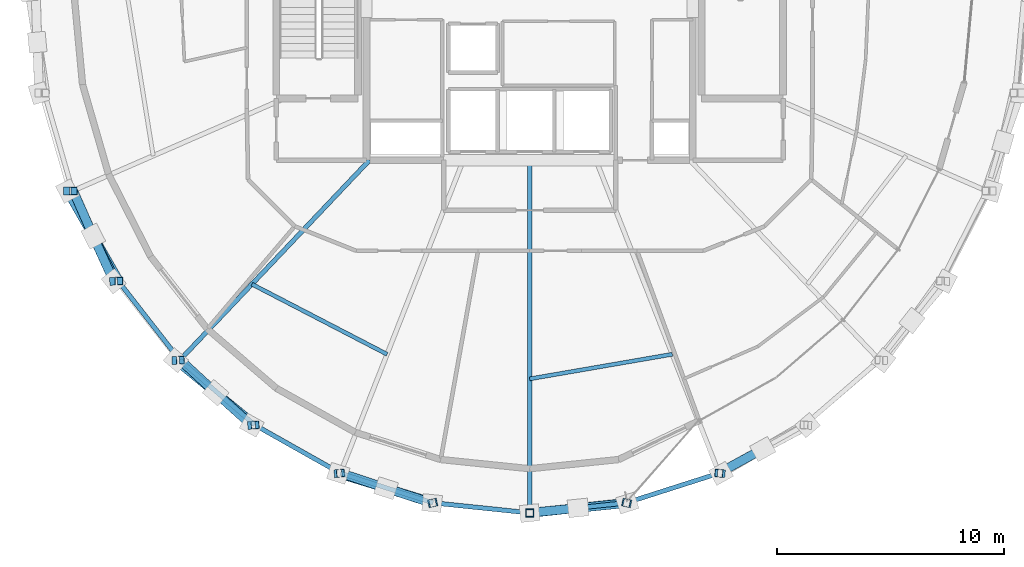
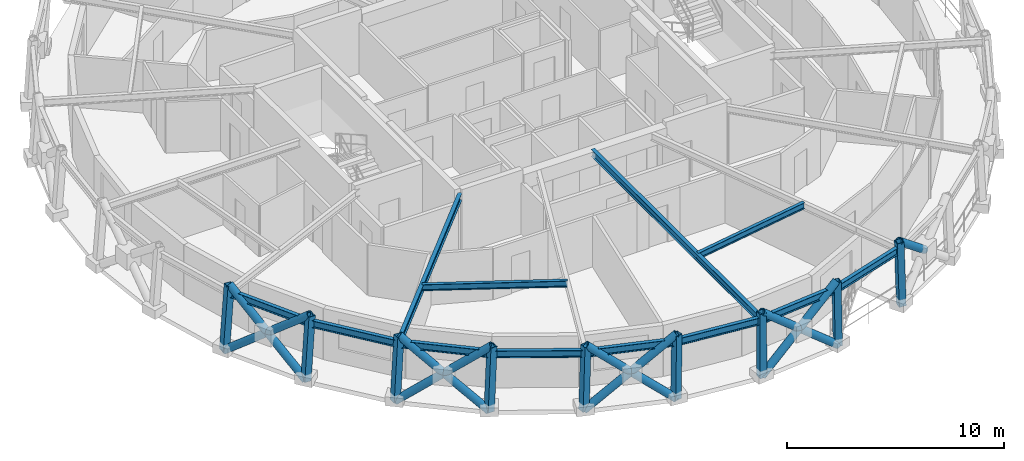
# One storey, part 1 of 15: 22 members, 12 beams.
"""IFC4 building model written with IfcOpenShell, lengths in metres."""

from ifc_helpers import new_model, si_unit, direction, frame, origin, origin_2d, place, context, subcontext, project, spatial, hollow_rectangle, hollow_circle, i_section, extrude, material, material_profile, profile_set, type_object, element, save


model = new_model("IFC4")

# Units and contexts
model_context = context("Model", 3, precision=1e-05, world=origin(), true_north=direction((0.0, 1.0)))
body_context = subcontext(model_context, "Body", "Model", "MODEL_VIEW")
ifc_project = project(units=[si_unit("LENGTHUNIT", "METRE"), si_unit("AREAUNIT", "SQUARE_METRE"), si_unit("VOLUMEUNIT", "CUBIC_METRE"), si_unit("PLANEANGLEUNIT", "RADIAN"), si_unit("MASSUNIT", "GRAM", prefix="KILO")], contexts=[model_context])

# Site, building, storey
site_placement = place(None, origin())
site = spatial("IfcSite", under=ifc_project, at=site_placement, CompositionType="ELEMENT")
building_placement = place(site_placement, origin())
building = spatial("IfcBuilding", under=site, at=building_placement, Name="Veldorina Hangang Commons", CompositionType="ELEMENT")
storey_placement = place(building_placement, frame((0.0, 0.0, 261.60009765625)))
storey = spatial("IfcBuildingStorey", under=building, at=storey_placement, Name="L68", CompositionType="ELEMENT", Elevation=261.60009765625)

# Beams
ifc_material = material(Name="Steel SM355-TMC", Category="steel")
ifc_material_profile_1 = material_profile(ifc_material, i_section(OverallWidth=0.199951171875, OverallDepth=0.39990234375, WebThickness=0.008056640625, FlangeThickness=0.012939453125, FilletRadius=0.012939453125, at=origin_2d()), Name="H-400x200x8x13")
ifc_profile_set_1 = profile_set([ifc_material_profile_1], Name="Steel SM355-TMC")
beam_type_1 = type_object("IfcBeamType", Name="BM-FG400", PredefinedType="BEAM", material=ifc_profile_set_1)
beam_1_placement = place(storey_placement, frame((24.931884765625, 16.550048828125, 3.159912109375), z_axis=(-0.688248509475, -0.72547500936, 0.0), x_axis=(0.72547500936, -0.688248509475, 0.0)))
element("IfcBeam", 1, at=beam_1_placement, inside=storey, type_object=beam_type_1, Name="L68 radial floor girder 11", PredefinedType="BEAM", context=body_context, shape_type="SweptSolid", body=[
    extrude(i_section(OverallWidth=0.199951171875, OverallDepth=0.39990234375, WebThickness=0.008056640625, FlangeThickness=0.012939453125, FilletRadius=0.012939453125, at=origin_2d()), origin(), (0.0, 0.0, 1.0), 12.158935546875),
])
beam_2_placement = place(storey_placement, frame((32.0, 16.550048828125, 3.159912109375), z_axis=(0.0, -1.0, 0.0), x_axis=(1.0, 0.0, 0.0)))
element("IfcBeam", 2, at=beam_2_placement, inside=storey, type_object=beam_type_1, Name="L68 radial floor girder 13", PredefinedType="BEAM", context=body_context, shape_type="SweptSolid", body=[
    extrude(i_section(OverallWidth=0.199951171875, OverallDepth=0.39990234375, WebThickness=0.008056640625, FlangeThickness=0.012939453125, FilletRadius=0.012939453125, at=origin_2d()), origin(), (0.0, 0.0, 1.0), 15.560546875),
])
ifc_material_profile_2 = material_profile(ifc_material, i_section(OverallWidth=0.175048828125, OverallDepth=0.35009765625, WebThickness=0.007080078125, FlangeThickness=0.010986328125, FilletRadius=0.012939453125, at=origin_2d()), Name="H-350x175x7x11")
ifc_profile_set_2 = profile_set([ifc_material_profile_2], Name="Steel SM355-TMC")
beam_type_2 = type_object("IfcBeamType", Name="BM-JST350", PredefinedType="JOIST", material=ifc_profile_set_2)
beam_3_placement = place(storey_placement, frame((19.743408203125, 11.0810546875, 3.184814453125), z_axis=(0.88775343151, -0.460319285759, 0.0), x_axis=(0.460319285759, 0.88775343151, 0.0)))
element("IfcBeam", 3, at=beam_3_placement, inside=storey, type_object=beam_type_2, Name="L68 secondary floor joist 11", PredefinedType="JOIST", context=body_context, shape_type="SweptSolid", body=[
    extrude(i_section(OverallWidth=0.175048828125, OverallDepth=0.35009765625, WebThickness=0.007080078125, FlangeThickness=0.010986328125, FilletRadius=0.012939453125, at=origin_2d()), origin(), (0.0, 0.0, 1.0), 6.71875),
])
beam_4_placement = place(storey_placement, frame((32.0, 6.90234375, 3.184814453125), z_axis=(0.985430960272, 0.170075931681, 0.0), x_axis=(-0.170075931681, 0.985430960272, 0.0)))
element("IfcBeam", 4, at=beam_4_placement, inside=storey, type_object=beam_type_2, Name="L68 secondary floor joist 13", PredefinedType="JOIST", context=body_context, shape_type="SweptSolid", body=[
    extrude(i_section(OverallWidth=0.175048828125, OverallDepth=0.35009765625, WebThickness=0.007080078125, FlangeThickness=0.010986328125, FilletRadius=0.012939453125, at=origin_2d()), origin(), (0.0, 0.0, 1.0), 6.385009765625),
])
ifc_material_profile_3 = material_profile(ifc_material, i_section(OverallWidth=0.199951171875, OverallDepth=0.39990234375, WebThickness=0.008056640625, FlangeThickness=0.012939453125, FilletRadius=0.012939453125, at=origin_2d()), Name="H-400x200x8x13")
ifc_profile_set_3 = profile_set([ifc_material_profile_3], Name="Steel SM355-TMC")
beam_type_3 = type_object("IfcBeamType", Name="BM-RB400", PredefinedType="BEAM", material=ifc_profile_set_3)
beam_5_placement = place(storey_placement, frame((11.831298828125, 15.194091796875, 3.159912109375), z_axis=(0.452285910788, -0.891873003797, 0.0), x_axis=(0.891873003797, 0.452285910788, 0.0)))
element("IfcBeam", 5, at=beam_5_placement, inside=storey, type_object=beam_type_3, Name="L68 perimeter hoop ring beam 18", PredefinedType="BEAM", context=body_context, shape_type="SweptSolid", body=[
    extrude(i_section(OverallWidth=0.199951171875, OverallDepth=0.39990234375, WebThickness=0.008056640625, FlangeThickness=0.012939453125, FilletRadius=0.012939453125, at=origin_2d()), origin(), (0.0, 0.0, 1.0), 4.460205078125),
])
beam_6_placement = place(storey_placement, frame((13.8486328125, 11.216064453125, 3.159912109375), z_axis=(0.614319180396, -0.78905763072, 0.0), x_axis=(0.78905763072, 0.614319180396, 0.0)))
element("IfcBeam", 6, at=beam_6_placement, inside=storey, type_object=beam_type_3, Name="L68 perimeter hoop ring beam 19", PredefinedType="BEAM", context=body_context, shape_type="SweptSolid", body=[
    extrude(i_section(OverallWidth=0.199951171875, OverallDepth=0.39990234375, WebThickness=0.008056640625, FlangeThickness=0.012939453125, FilletRadius=0.012939453125, at=origin_2d()), origin(), (0.0, 0.0, 1.0), 4.419189453125),
])
beam_7_placement = place(storey_placement, frame((16.5634765625, 7.72900390625, 3.159912109375), z_axis=(0.756305697563, -0.654218382372, 0.0), x_axis=(0.654218382372, 0.756305697563, 0.0)))
element("IfcBeam", 7, at=beam_7_placement, inside=storey, type_object=beam_type_3, Name="L68 perimeter hoop ring beam 20", PredefinedType="BEAM", context=body_context, shape_type="SweptSolid", body=[
    extrude(i_section(OverallWidth=0.199951171875, OverallDepth=0.39990234375, WebThickness=0.008056640625, FlangeThickness=0.012939453125, FilletRadius=0.012939453125, at=origin_2d()), origin(), (0.0, 0.0, 1.0), 4.3740234375),
])
beam_8_placement = place(storey_placement, frame((19.87158203125, 4.867431640625, 3.159912109375), z_axis=(0.871244233372, -0.490849758905, 0.0), x_axis=(0.490849758905, 0.871244233372, 0.0)))
element("IfcBeam", 8, at=beam_8_placement, inside=storey, type_object=beam_type_3, Name="L68 perimeter hoop ring beam 21", PredefinedType="BEAM", context=body_context, shape_type="SweptSolid", body=[
    extrude(i_section(OverallWidth=0.199951171875, OverallDepth=0.39990234375, WebThickness=0.008056640625, FlangeThickness=0.012939453125, FilletRadius=0.012939453125, at=origin_2d()), origin(), (0.0, 0.0, 1.0), 4.332275390625),
])
beam_9_placement = place(storey_placement, frame((23.64599609375, 2.740966796875, 3.159912109375), z_axis=(0.952484785207, -0.304586168347, 0.0), x_axis=(0.304586168347, 0.952484785207, 0.0)))
element("IfcBeam", 9, at=beam_9_placement, inside=storey, type_object=beam_type_3, Name="L68 perimeter hoop ring beam 22", PredefinedType="BEAM", context=body_context, shape_type="SweptSolid", body=[
    extrude(i_section(OverallWidth=0.199951171875, OverallDepth=0.39990234375, WebThickness=0.008056640625, FlangeThickness=0.012939453125, FilletRadius=0.012939453125, at=origin_2d()), origin(), (0.0, 0.0, 1.0), 4.299560546875),
])
for number, where, z_axis, x_axis, name in (
    (10, (27.7412109375, 1.431396484375, 3.159912109375), (0.994659949202, -0.103206518462, 0.0), (0.103206518462, 0.994659949202, 0.0), "L68 perimeter hoop ring beam 23"),
    (11, (32.0, 0.989501953125, 3.159912109375), (0.994659949202, 0.103206518462, 0.0), (-0.103206518462, 0.994659949202, 0.0), "L68 perimeter hoop ring beam 24"),
):
    element("IfcBeam", number, at=place(storey_placement, frame(where, z_axis=z_axis, x_axis=x_axis)), inside=storey, type_object=beam_type_3, Name=name, PredefinedType="BEAM", context=body_context, shape_type="SweptSolid", body=[
        extrude(i_section(OverallWidth=0.199951171875, OverallDepth=0.39990234375, WebThickness=0.008056640625, FlangeThickness=0.012939453125, FilletRadius=0.012939453125, at=origin_2d()), origin(), (0.0, 0.0, 1.0), 4.28173828125),
    ])
beam_10_placement = place(storey_placement, frame((36.2587890625, 1.431396484375, 3.159912109375), z_axis=(0.952484785207, 0.304586168347, 0.0), x_axis=(-0.304586168347, 0.952484785207, 0.0)))
element("IfcBeam", 12, at=beam_10_placement, inside=storey, type_object=beam_type_3, Name="L68 perimeter hoop ring beam 25", PredefinedType="BEAM", context=body_context, shape_type="SweptSolid", body=[
    extrude(i_section(OverallWidth=0.199951171875, OverallDepth=0.39990234375, WebThickness=0.008056640625, FlangeThickness=0.012939453125, FilletRadius=0.012939453125, at=origin_2d()), origin(), (0.0, 0.0, 1.0), 4.299560546875),
])

# Members
ifc_material_profile_4 = material_profile(ifc_material, hollow_circle(Radius=0.199951171875, WallThickness=0.02001953125, at=origin_2d()), Name="CHS-400x20")
ifc_profile_set_4 = profile_set([ifc_material_profile_4], Name="Steel SM355-TMC")
member_type_1 = type_object("IfcMemberType", Name="DG-CHS400", PredefinedType="BRACE", material=ifc_profile_set_4)
member_1_placement = place(storey_placement, frame((11.605224609375, 15.190185546875, 0.0), z_axis=(0.390129201629, -0.682359243043, 0.618211185171), x_axis=(0.868128230081, 0.496339980393, 0.0)))
element("IfcMember", 13, at=member_1_placement, inside=storey, type_object=member_type_1, Name="L68 continuous perimeter diagrid brace 18", PredefinedType="BRACE", context=body_context, shape_type="SweptSolid", body=[
    extrude(hollow_circle(Radius=0.199951171875, WallThickness=0.02001953125, at=origin_2d()), origin(), (0.0, 0.0, 1.0), 5.822998046875),
])
member_2_placement = place(storey_placement, frame((13.645263671875, 11.210205078125, 0.0), z_axis=(-0.318544697544, 0.702591010383, 0.636313718064), x_axis=(-0.910763973252, -0.412927336254, 0.0)))
element("IfcMember", 14, at=member_2_placement, inside=storey, type_object=member_type_1, Name="L68 split perimeter diagrid lower brace 19", PredefinedType="BRACE", context=body_context, shape_type="SweptSolid", body=[
    extrude(hollow_circle(Radius=0.199951171875, WallThickness=0.02001953125, at=origin_2d()), origin(), (0.0, 0.0, 1.0), 2.832763671875),
])
member_3_placement = place(storey_placement, frame((12.742919921875, 13.200439453125, 1.802490234375), z_axis=(-0.311508697755, 0.705884757825, 0.636151742821), x_axis=(-0.914875221097, -0.403736708539, 0.0)))
element("IfcMember", 15, at=member_3_placement, inside=storey, type_object=member_type_1, Name="L68 split perimeter diagrid upper brace 19", PredefinedType="BRACE", context=body_context, shape_type="SweptSolid", body=[
    extrude(hollow_circle(Radius=0.199951171875, WallThickness=0.02001953125, at=origin_2d()), origin(), (0.0, 0.0, 1.0), 2.825439453125),
])
member_4_placement = place(storey_placement, frame((16.390380859375, 7.7216796875, 0.0), z_axis=(0.606104749735, -0.494032231667, 0.623353179524), x_axis=(0.631802912088, 0.775129073302, 0.0)))
element("IfcMember", 16, at=member_4_placement, inside=storey, type_object=member_type_1, Name="L68 continuous perimeter diagrid brace 20", PredefinedType="BRACE", context=body_context, shape_type="SweptSolid", body=[
    extrude(hollow_circle(Radius=0.199951171875, WallThickness=0.02001953125, at=origin_2d()), origin(), (0.0, 0.0, 1.0), 5.77490234375),
])
member_5_placement = place(storey_placement, frame((19.735595703125, 4.858642578125, 0.0), z_axis=(-0.567455722018, 0.511285804253, 0.645430732084), x_axis=(-0.669381009605, -0.74291928497, 0.0)))
element("IfcMember", 17, at=member_5_placement, inside=storey, type_object=member_type_1, Name="L68 split perimeter diagrid lower brace 21", PredefinedType="BRACE", context=body_context, shape_type="SweptSolid", body=[
    extrude(hollow_circle(Radius=0.199951171875, WallThickness=0.02001953125, at=origin_2d()), origin(), (0.0, 0.0, 1.0), 2.799072265625),
])
member_6_placement = place(storey_placement, frame((18.147216796875, 6.289794921875, 1.806640625), z_axis=(-0.561228710294, 0.51826677552, 0.645307588777), x_axis=(-0.678428165475, -0.734666743694, 0.0)))
element("IfcMember", 18, at=member_6_placement, inside=storey, type_object=member_type_1, Name="L68 split perimeter diagrid upper brace 21", PredefinedType="BRACE", context=body_context, shape_type="SweptSolid", body=[
    extrude(hollow_circle(Radius=0.199951171875, WallThickness=0.02001953125, at=origin_2d()), origin(), (0.0, 0.0, 1.0), 2.77880859375),
])
member_7_placement = place(storey_placement, frame((23.55224609375, 2.731201171875, 0.0), z_axis=(0.738834207743, -0.22859362715, 0.633931358346), x_axis=(0.295573810822, 0.955319905768, 0.0)))
element("IfcMember", 19, at=member_7_placement, inside=storey, type_object=member_type_1, Name="L68 continuous perimeter diagrid brace 22", PredefinedType="BRACE", context=body_context, shape_type="SweptSolid", body=[
    extrude(hollow_circle(Radius=0.199951171875, WallThickness=0.02001953125, at=origin_2d()), origin(), (0.0, 0.0, 1.0), 5.6787109375),
])
member_8_placement = place(storey_placement, frame((27.693359375, 1.421142578125, 0.0), z_axis=(-0.725672342812, 0.234796868612, 0.646738031484), x_axis=(-0.307844642917, -0.951436637842, 0.0)))
element("IfcMember", 20, at=member_8_placement, inside=storey, type_object=member_type_1, Name="L68 split perimeter diagrid lower brace 23", PredefinedType="BRACE", context=body_context, shape_type="SweptSolid", body=[
    extrude(hollow_circle(Radius=0.199951171875, WallThickness=0.02001953125, at=origin_2d()), origin(), (0.0, 0.0, 1.0), 2.799072265625),
])
member_9_placement = place(storey_placement, frame((25.662109375, 2.078369140625, 1.810302734375), z_axis=(-0.723956834125, 0.239995440441, 0.646752418542), x_axis=(-0.314665578208, -0.94920259897, 0.0)))
element("IfcMember", 21, at=member_9_placement, inside=storey, type_object=member_type_1, Name="L68 split perimeter diagrid upper brace 23", PredefinedType="BRACE", context=body_context, shape_type="SweptSolid", body=[
    extrude(hollow_circle(Radius=0.199951171875, WallThickness=0.02001953125, at=origin_2d()), origin(), (0.0, 0.0, 1.0), 2.76708984375),
])
member_10_placement = place(storey_placement, frame((32.0, 0.978759765625, 0.0), z_axis=(0.760698078423, 0.081280307972, 0.643996851716), x_axis=(-0.106244860447, 0.994339996997, 0.0)))
element("IfcMember", 22, at=member_10_placement, inside=storey, type_object=member_type_1, Name="L68 continuous perimeter diagrid brace 24", PredefinedType="BRACE", context=body_context, shape_type="SweptSolid", body=[
    extrude(hollow_circle(Radius=0.199951171875, WallThickness=0.02001953125, at=origin_2d()), origin(), (0.0, 0.0, 1.0), 5.58984375),
])
member_11_placement = place(storey_placement, frame((36.306640625, 1.421142578125, 0.0), z_axis=(-0.765116294776, -0.075503196375, 0.639450015877), x_axis=(0.098204978985, -0.99516620828, 0.0)))
element("IfcMember", 23, at=member_11_placement, inside=storey, type_object=member_type_1, Name="L68 split perimeter diagrid lower brace 25", PredefinedType="BRACE", context=body_context, shape_type="SweptSolid", body=[
    extrude(hollow_circle(Radius=0.199951171875, WallThickness=0.02001953125, at=origin_2d()), origin(), (0.0, 0.0, 1.0), 2.83251953125),
])
member_12_placement = place(storey_placement, frame((34.139404296875, 1.207275390625, 1.811279296875), z_axis=(-0.764910633647, -0.077337763484, 0.639476811834), x_axis=(0.100594067218, -0.994927551956, 0.0)))
element("IfcMember", 24, at=member_12_placement, inside=storey, type_object=member_type_1, Name="L68 split perimeter diagrid upper brace 25", PredefinedType="BRACE", context=body_context, shape_type="SweptSolid", body=[
    extrude(hollow_circle(Radius=0.199951171875, WallThickness=0.02001953125, at=origin_2d()), origin(), (0.0, 0.0, 1.0), 2.796875),
])
member_13_placement = place(storey_placement, frame((42.28759765625, 3.80517578125, 1.80859375), z_axis=(-0.682803806634, -0.372788783429, 0.6283370788), x_axis=(0.479199175936, -0.877706186478, 0.0)))
element("IfcMember", 25, at=member_13_placement, inside=storey, type_object=member_type_1, Name="L68 split perimeter diagrid upper brace 27", PredefinedType="BRACE", context=body_context, shape_type="SweptSolid", body=[
    extrude(hollow_circle(Radius=0.199951171875, WallThickness=0.02001953125, at=origin_2d()), origin(), (0.0, 0.0, 1.0), 2.850830078125),
])
ifc_material_profile_5 = material_profile(ifc_material, hollow_rectangle(XDim=0.35009765625, YDim=0.35009765625, WallThickness=0.01611328125, at=origin_2d()), Name="SHS-350x350x16")
ifc_profile_set_5 = profile_set([ifc_material_profile_5], Name="Steel SM355-TMC")
member_type_2 = type_object("IfcMemberType", Name="STR-SHS350", PredefinedType="STRUT", material=ifc_profile_set_5)
member_14_placement = place(storey_placement, frame((11.605224609375, 15.190185546875, 0.0), z_axis=(0.071367174957, 0.001285285615, 0.997449284114), x_axis=(-0.018006558774, 0.999837868777, 0.0)))
element("IfcMember", 26, at=member_14_placement, inside=storey, type_object=member_type_2, Name="L68 perimeter ring node post 18", PredefinedType="STRUT", context=body_context, shape_type="SweptSolid", body=[
    extrude(hollow_rectangle(XDim=0.35009765625, YDim=0.35009765625, WallThickness=0.01611328125, at=origin_2d()), origin(), (0.0, 0.0, 1.0), 3.609130859375),
])
member_15_placement = place(storey_placement, frame((13.645263671875, 11.210205078125, 0.0), z_axis=(0.064227804467, 0.001827345333, 0.997933589946), x_axis=(-0.028439493074, 0.999595515813, 0.0)))
element("IfcMember", 27, at=member_15_placement, inside=storey, type_object=member_type_2, Name="L68 perimeter ring node post 19", PredefinedType="STRUT", context=body_context, shape_type="SweptSolid", body=[
    extrude(hollow_rectangle(XDim=0.35009765625, YDim=0.35009765625, WallThickness=0.01611328125, at=origin_2d()), origin(), (0.0, 0.0, 1.0), 3.607421875),
])
member_16_placement = place(storey_placement, frame((16.390380859375, 7.7216796875, 0.0), z_axis=(0.054716001142, 0.002302405989, 0.998499303027), x_axis=(-0.042042003341, 0.999115844112, 0.0)))
element("IfcMember", 28, at=member_16_placement, inside=storey, type_object=member_type_2, Name="L68 perimeter ring node post 20", PredefinedType="STRUT", context=body_context, shape_type="SweptSolid", body=[
    extrude(hollow_rectangle(XDim=0.35009765625, YDim=0.35009765625, WallThickness=0.01611328125, at=origin_2d()), origin(), (0.0, 0.0, 1.0), 3.605224609375),
])
member_17_placement = place(storey_placement, frame((19.735595703125, 4.858642578125, 0.0), z_axis=(0.043025400064, 0.002778017957, 0.999070116441), x_axis=(-0.064432762324, 0.997922050633, 0.0)))
element("IfcMember", 29, at=member_17_placement, inside=storey, type_object=member_type_2, Name="L68 perimeter ring node post 21", PredefinedType="STRUT", context=body_context, shape_type="SweptSolid", body=[
    extrude(hollow_rectangle(XDim=0.35009765625, YDim=0.35009765625, WallThickness=0.01611328125, at=origin_2d()), origin(), (0.0, 0.0, 1.0), 3.603271484375),
])
member_18_placement = place(storey_placement, frame((23.55224609375, 2.731201171875, 0.0), z_axis=(0.029624013604, 0.003118317221, 0.9995562485), x_axis=(-0.104684784518, 0.994505452921, 0.0)))
element("IfcMember", 30, at=member_18_placement, inside=storey, type_object=member_type_2, Name="L68 perimeter ring node post 22", PredefinedType="STRUT", context=body_context, shape_type="SweptSolid", body=[
    extrude(hollow_rectangle(XDim=0.35009765625, YDim=0.35009765625, WallThickness=0.01611328125, at=origin_2d()), origin(), (0.0, 0.0, 1.0), 3.6015625),
])
member_19_placement = place(storey_placement, frame((27.693359375, 1.421142578125, 0.0), z_axis=(0.015121957969, 0.003322762065, 0.999880135636), x_axis=(-0.214611118288, 0.976699579148, 0.0)))
element("IfcMember", 31, at=member_19_placement, inside=storey, type_object=member_type_2, Name="L68 perimeter ring node post 23", PredefinedType="STRUT", context=body_context, shape_type="SweptSolid", body=[
    extrude(hollow_rectangle(XDim=0.35009765625, YDim=0.35009765625, WallThickness=0.01611328125, at=origin_2d()), origin(), (0.0, 0.0, 1.0), 3.600341796875),
])
member_20_placement = place(storey_placement, frame((32.0, 0.978759765625, 0.0), z_axis=(0.0, 0.003390960497, 0.999994250677), x_axis=(-1.0, 0.0, 0.0)))
element("IfcMember", 32, at=member_20_placement, inside=storey, type_object=member_type_2, Name="L68 perimeter ring node post 24", PredefinedType="STRUT", context=body_context, shape_type="SweptSolid", body=[
    extrude(hollow_rectangle(XDim=0.35009765625, YDim=0.35009765625, WallThickness=0.01611328125, at=origin_2d()), origin(), (0.0, 0.0, 1.0), 3.599853515625),
])
member_21_placement = place(storey_placement, frame((36.306640625, 1.421142578125, 0.0), z_axis=(-0.015121957969, 0.003322762065, 0.999880135636), x_axis=(-0.214611118288, -0.976699579148, 0.0)))
element("IfcMember", 33, at=member_21_placement, inside=storey, type_object=member_type_2, Name="L68 perimeter ring node post 25", PredefinedType="STRUT", context=body_context, shape_type="SweptSolid", body=[
    extrude(hollow_rectangle(XDim=0.35009765625, YDim=0.35009765625, WallThickness=0.01611328125, at=origin_2d()), origin(), (0.0, 0.0, 1.0), 3.600341796875),
])
member_22_placement = place(storey_placement, frame((40.44775390625, 2.731201171875, 0.0), z_axis=(-0.029624013604, 0.003118317221, 0.9995562485), x_axis=(-0.104684784518, -0.994505452921, 0.0)))
element("IfcMember", 34, at=member_22_placement, inside=storey, type_object=member_type_2, Name="L68 perimeter ring node post 26", PredefinedType="STRUT", context=body_context, shape_type="SweptSolid", body=[
    extrude(hollow_rectangle(XDim=0.35009765625, YDim=0.35009765625, WallThickness=0.01611328125, at=origin_2d()), origin(), (0.0, 0.0, 1.0), 3.6015625),
])

save(model, "model.ifc")
